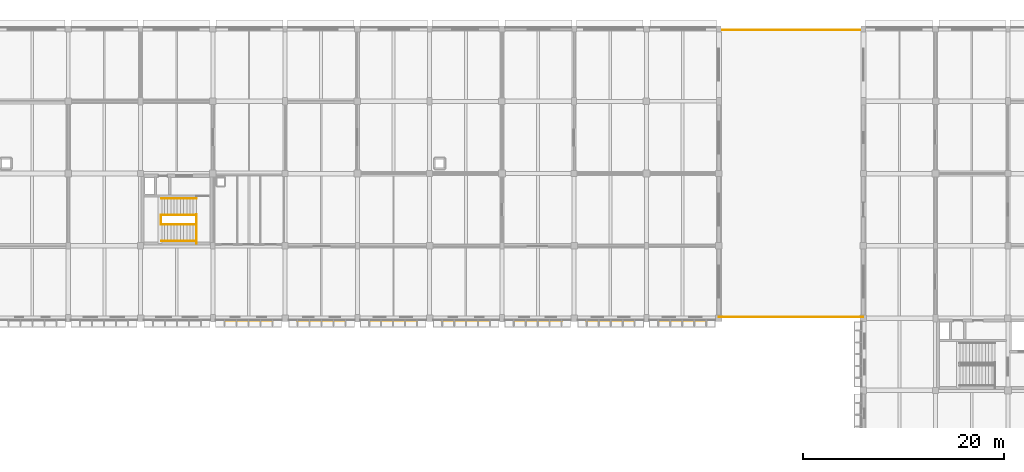
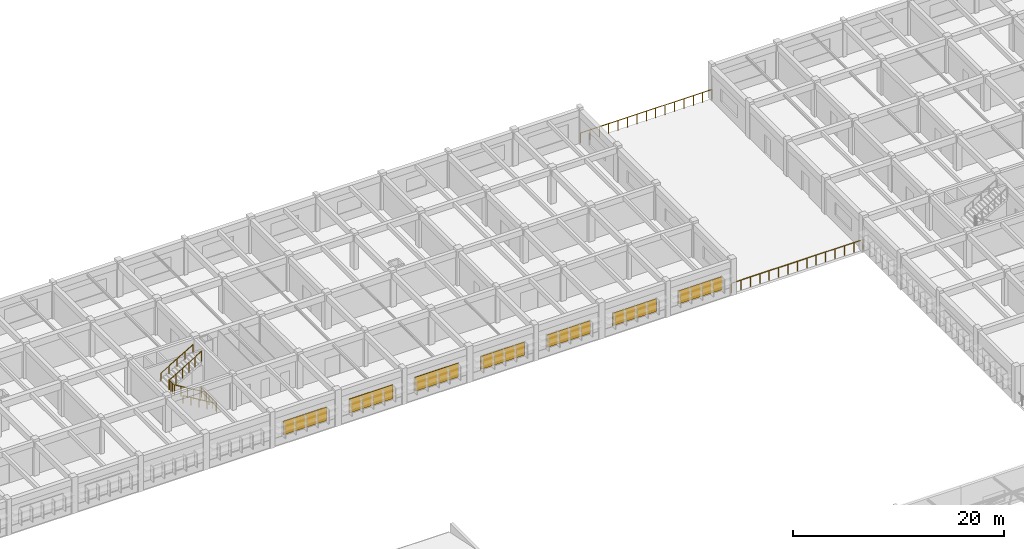
# One storey, part 101 of 103: 10 railings, 7 shading devices.
"""IFC4 building model written with IfcOpenShell, lengths in metres."""

import ifcopenshell
import ifcopenshell.guid

model = None  # the IFC model being written
_history = None  # IfcOwnerHistory: only IFC2X3 demands one
_inside = {}  # id of a spatial element -> (the spatial element, [elements in it])
_under = {}  # id of a project, library or spatial element -> (it, [spatial elements below it])
_declared = {}  # id of a project -> (the project, [libraries it declares])
_typed = {}  # id of a type object -> (the type object, [elements of that type])
_made_of = {}  # id of a material, layer set ... -> (it, [elements and type objects made of it])


def new_model(schema):
    """Start an empty IFC model of exactly this schema.

    Asked for "IFC4X3", IfcOpenShell would pick the latest addendum, in which some entities
    have other attributes; the version numbers below select the first issue.
    IFC2X3 requires an IfcOwnerHistory on every rooted entity: one is made here for all.
    """
    global model, _history
    if schema == "IFC4X3":
        model = ifcopenshell.file(schema_version=(4, 3, 0, 0))
    else:
        model = ifcopenshell.file(schema=schema)
    _inside.clear()
    _under.clear()
    _declared.clear()
    _typed.clear()
    _made_of.clear()
    _history = None
    if model.schema == "IFC2X3":
        org = make("IfcOrganization", Name="unknown")
        user = make(
            "IfcPersonAndOrganization",
            ThePerson=make("IfcPerson", FamilyName="unknown"),
            TheOrganization=org,
        )
        app = make(
            "IfcApplication",
            ApplicationDeveloper=org,
            Version="unknown",
            ApplicationFullName="unknown",
            ApplicationIdentifier="unknown",
        )
        _history = make(
            "IfcOwnerHistory",
            OwningUser=user,
            OwningApplication=app,
            ChangeAction="ADDED",
            CreationDate=0,
        )
    return model


def make(cls, **values):
    """One entity of the class cls with the attributes given. An attribute that is None is left unset."""
    return model.create_entity(
        cls, **{name: value for name, value in values.items() if value is not None}
    )


def rooted(cls, **values):
    """An entity with a GlobalId (a new one), such as an element, a storey or a relation."""
    return make(cls, GlobalId=ifcopenshell.guid.new(), OwnerHistory=_history, **values)


def si_unit(unit_type, name, prefix=None):
    """IfcSIUnit, for example si_unit("LENGTHUNIT", "METRE", prefix="MILLI")."""
    return make("IfcSIUnit", UnitType=unit_type, Prefix=prefix, Name=name)


def assignment(units):
    """IfcUnitAssignment: the units of a project."""
    return None if units is None else make("IfcUnitAssignment", Units=units)


def point(xyz):
    """IfcCartesianPoint."""
    return None if xyz is None else make("IfcCartesianPoint", Coordinates=xyz)


def direction(xyz):
    """IfcDirection."""
    return None if xyz is None else make("IfcDirection", DirectionRatios=xyz)


def frame(location, z_axis=None, x_axis=None):
    """IfcAxis2Placement3D, a coordinate frame: its origin and axes. An axis left out is left unset."""
    return make(
        "IfcAxis2Placement3D",
        Location=point(location),
        Axis=direction(z_axis),
        RefDirection=direction(x_axis),
    )


def frame_2d(location, x_axis=None):
    """IfcAxis2Placement2D, a coordinate frame in the plane: its origin and x axis."""
    return make(
        "IfcAxis2Placement2D", Location=point(location), RefDirection=direction(x_axis)
    )


def origin():
    """The frame at (0, 0, 0) with its axes left unset."""
    return frame((0.0, 0.0, 0.0))


def origin_2d():
    """The frame at (0, 0) in the plane with its x axis left unset."""
    return frame_2d((0.0, 0.0))


def place(relative_to, where):
    """IfcLocalPlacement: puts the frame where relative to a parent placement (None: the world)."""
    return make(
        "IfcLocalPlacement", PlacementRelTo=relative_to, RelativePlacement=where
    )


def context(
    kind, dimensions, precision=None, world=None, true_north=None, identifier=None
):
    """IfcGeometricRepresentationContext, for example the 3D "Model" context."""
    return make(
        "IfcGeometricRepresentationContext",
        ContextIdentifier=identifier,
        ContextType=kind,
        CoordinateSpaceDimension=dimensions,
        Precision=precision,
        WorldCoordinateSystem=world,
        TrueNorth=true_north,
    )


def subcontext(parent, identifier, kind, view, scale=None):
    """IfcGeometricRepresentationSubContext, for example "Body" below "Model"."""
    return make(
        "IfcGeometricRepresentationSubContext",
        ContextIdentifier=identifier,
        ContextType=kind,
        ParentContext=parent,
        TargetScale=scale,
        TargetView=view,
    )


def project(units=None, contexts=None):
    """IfcProject with its units and contexts."""
    return rooted(
        "IfcProject",
        Name="project",
        RepresentationContexts=contexts,
        UnitsInContext=assignment(units),
    )


def spatial(cls, under=None, at=None, **own):
    """A site, building, storey or space (cls), placed at a placement, below another one or the project."""
    s = rooted(cls, ObjectPlacement=at, **own)
    if under is not None:
        _under.setdefault(under.id(), (under, []))[1].append(s)
    return s


def profile(cls, at=None, kind="AREA", **sizes):
    """A parametric profile (cls). Its sizes go by their IFC names, for example OverallWidth=200.0."""
    return make(cls, ProfileType=kind, Position=at, **sizes)


def rectangle(**sizes):
    """IfcRectangleProfileDef."""
    return profile("IfcRectangleProfileDef", **sizes)


def circle(**sizes):
    """IfcCircleProfileDef."""
    return profile("IfcCircleProfileDef", **sizes)


def extrude(swept, where, along, depth):
    """IfcExtrudedAreaSolid: the profile swept, set in the frame where, extruded along a direction by depth."""
    return make(
        "IfcExtrudedAreaSolid",
        SweptArea=swept,
        Position=where,
        ExtrudedDirection=direction(along),
        Depth=depth,
    )


def shape(context_of_items, identifier, shape_type, items):
    """IfcShapeRepresentation: the items that make up one representation, for example the "Body"."""
    return make(
        "IfcShapeRepresentation",
        ContextOfItems=context_of_items,
        RepresentationIdentifier=identifier,
        RepresentationType=shape_type,
        Items=items,
    )


def material(Name=None, Category=None):
    """IfcMaterial."""
    return make("IfcMaterial", Name=Name, Category=Category)


def layer(
    of_material, thickness, ventilated=None, Name=None, Category=None, Priority=None
):
    """IfcMaterialLayer: one layer of a wall or slab, of a material (None: an air gap)."""
    return make(
        "IfcMaterialLayer",
        Material=of_material,
        LayerThickness=thickness,
        IsVentilated=ventilated,
        Name=Name,
        Category=Category,
        Priority=Priority,
    )


def layer_set(layers, Name=None):
    """IfcMaterialLayerSet."""
    return make("IfcMaterialLayerSet", MaterialLayers=layers, LayerSetName=Name)


def made_of(thing, what):
    """Note that an element or type object is made of a material, layer set ...; save() writes the relation."""
    if what is not None:
        _made_of.setdefault(what.id(), (what, []))[1].append(thing)
    return thing


def type_object(cls, material=None, **own):
    """A type object (cls), such as IfcWallType, which elements share."""
    return made_of(rooted(cls, **own), material)


def element(
    cls,
    number,
    at=None,
    inside=None,
    cuts=None,
    type_object=None,
    material=None,
    context=None,
    identifier="Body",
    shape_type=None,
    held_by="IfcProductDefinitionShape",
    body=None,
    shapes=None,
    **own,
):
    """One element of the class cls, such as IfcWall. Its Tag is "e" and its number.

    at: its placement. inside: the storey or other place that contains it. cuts: it is an
    opening in that element (IfcRelVoidsElement). A single representation is given by context,
    identifier, shape_type and body (its items); several are given by shapes. held_by: the class
    of the entity that holds the representations. save() writes the other relations.
    """
    e = rooted(cls, Tag="e%d" % number, ObjectPlacement=at, **own)
    if body is not None:
        shapes = [shape(context, identifier, shape_type, body)]
    if shapes is not None:
        e.Representation = make(held_by, Representations=shapes)
    if inside is not None:
        _inside.setdefault(inside.id(), (inside, []))[1].append(e)
    if cuts is not None:
        rooted(
            "IfcRelVoidsElement", RelatingBuildingElement=cuts, RelatedOpeningElement=e
        )
    if type_object is not None:
        _typed.setdefault(type_object.id(), (type_object, []))[1].append(e)
    return made_of(e, material)


def aggregate(whole, parts):
    """IfcRelAggregates: a whole, such as a stair, and the parts it consists of."""
    return rooted("IfcRelAggregates", RelatingObject=whole, RelatedObjects=parts)


def save(model, path):
    """Write the relations noted so far, then the file.

    IfcRelAggregates (storeys below a building ...), IfcRelContainedInSpatialStructure (elements
    in a storey), IfcRelDefinesByType, IfcRelAssociatesMaterial and IfcRelDeclares: one each for
    every whole, place, type object, material and project.
    """
    for whole, parts in _under.values():
        aggregate(whole, parts)
    for where, things in _inside.values():
        rooted(
            "IfcRelContainedInSpatialStructure",
            RelatedElements=things,
            RelatingStructure=where,
        )
    for kind, things in _typed.values():
        rooted("IfcRelDefinesByType", RelatedObjects=things, RelatingType=kind)
    for what, things in _made_of.values():
        rooted("IfcRelAssociatesMaterial", RelatedObjects=things, RelatingMaterial=what)
    for by, libraries in _declared.values():
        rooted("IfcRelDeclares", RelatingContext=by, RelatedDefinitions=libraries)
    model.write(path)


model = new_model("IFC4")

# Units and contexts
model_context = context("Model", 3, precision=1e-05, world=origin(), true_north=direction((0.0, 1.0)))
body_context = subcontext(model_context, "Body", "Model", "MODEL_VIEW")
ifc_project = project(units=[si_unit("LENGTHUNIT", "METRE"), si_unit("AREAUNIT", "SQUARE_METRE"), si_unit("VOLUMEUNIT", "CUBIC_METRE"), si_unit("PLANEANGLEUNIT", "RADIAN"), si_unit("MASSUNIT", "GRAM", prefix="KILO")], contexts=[model_context])

# Site, building, storey
site_placement = place(None, origin())
site = spatial("IfcSite", under=ifc_project, at=site_placement, CompositionType="ELEMENT")
building_placement = place(site_placement, origin())
building = spatial("IfcBuilding", under=site, at=building_placement, Name="Thalmaran Polytechnic", CompositionType="ELEMENT")
storey_placement = place(building_placement, frame((0.0, 0.0, 14.39990234375)))
storey = spatial("IfcBuildingStorey", under=building, at=storey_placement, Name="L03", CompositionType="ELEMENT", Elevation=14.39990234375)

# Railings
ifc_material_1 = material(Name="Stainless steel 316 and laminated glass", Category="steel")
railing_type_1 = type_object("IfcRailingType", Name="RL-BL01", PredefinedType="BALUSTRADE", material=ifc_material_1)
railing_1_placement = place(storey_placement, frame((115.2099609375, 122.300048828125, 0.0)))
element("IfcRailing", 1, at=railing_1_placement, inside=storey, type_object=railing_type_1, Name="Terrace Balustrade Guard L03-2-1", PredefinedType="BALUSTRADE", context=body_context, shape_type="SweptSolid", body=[
    extrude(circle(Radius=0.02392578125, at=origin_2d()), frame((0.0, 0.0, 1.1259765625), z_axis=(1.0, 0.0, 0.0), x_axis=(0.0, 1.0, 0.0)), (0.0, 0.0, 1.0), 7.18994140625),
    extrude(circle(Radius=0.02099609375, at=origin_2d()), origin(), (0.0, 0.0, 1.0), 1.101806640625),
    extrude(circle(Radius=0.02099609375, at=origin_2d()), frame((1.027099609375, 0.0, 0.0)), (0.0, 0.0, 1.0), 1.101806640625),
    extrude(circle(Radius=0.02099609375, at=origin_2d()), frame((2.05419921875, 0.0, 0.0)), (0.0, 0.0, 1.0), 1.101806640625),
    extrude(circle(Radius=0.02099609375, at=origin_2d()), frame((3.081298828125, 0.0, 0.0)), (0.0, 0.0, 1.0), 1.101806640625),
    extrude(circle(Radius=0.02099609375, at=origin_2d()), frame((4.108642578125, 0.0, 0.0)), (0.0, 0.0, 1.0), 1.101806640625),
    extrude(circle(Radius=0.02099609375, at=origin_2d()), frame((5.1357421875, 0.0, 0.0)), (0.0, 0.0, 1.0), 1.101806640625),
    extrude(circle(Radius=0.02099609375, at=origin_2d()), frame((6.162841796875, 0.0, 0.0)), (0.0, 0.0, 1.0), 1.101806640625),
    extrude(circle(Radius=0.02099609375, at=origin_2d()), frame((7.18994140625, 0.0, 0.0)), (0.0, 0.0, 1.0), 1.101806640625),
])
railing_2_placement = place(storey_placement, frame((122.39990234375, 122.300048828125, 0.0)))
element("IfcRailing", 2, at=railing_2_placement, inside=storey, type_object=railing_type_1, Name="Terrace Balustrade Guard L03-2-2", PredefinedType="BALUSTRADE", context=body_context, shape_type="SweptSolid", body=[
    extrude(circle(Radius=0.02392578125, at=origin_2d()), frame((0.0, 0.0, 1.1259765625), z_axis=(1.0, 0.0, 0.0), x_axis=(0.0, 1.0, 0.0)), (0.0, 0.0, 1.0), 7.190185546875),
    extrude(circle(Radius=0.02099609375, at=origin_2d()), origin(), (0.0, 0.0, 1.0), 1.101806640625),
    extrude(circle(Radius=0.02099609375, at=origin_2d()), frame((1.027099609375, 0.0, 0.0)), (0.0, 0.0, 1.0), 1.101806640625),
    extrude(circle(Radius=0.02099609375, at=origin_2d()), frame((2.054443359375, 0.0, 0.0)), (0.0, 0.0, 1.0), 1.101806640625),
    extrude(circle(Radius=0.02099609375, at=origin_2d()), frame((3.08154296875, 0.0, 0.0)), (0.0, 0.0, 1.0), 1.101806640625),
    extrude(circle(Radius=0.02099609375, at=origin_2d()), frame((4.108642578125, 0.0, 0.0)), (0.0, 0.0, 1.0), 1.101806640625),
    extrude(circle(Radius=0.02099609375, at=origin_2d()), frame((5.1357421875, 0.0, 0.0)), (0.0, 0.0, 1.0), 1.101806640625),
    extrude(circle(Radius=0.02099609375, at=origin_2d()), frame((6.1630859375, 0.0, 0.0)), (0.0, 0.0, 1.0), 1.101806640625),
    extrude(circle(Radius=0.02099609375, at=origin_2d()), frame((7.190185546875, 0.0, 0.0)), (0.0, 0.0, 1.0), 1.101806640625),
])
railing_3_placement = place(storey_placement, frame((129.590087890625, 93.699951171875, 0.0)))
element("IfcRailing", 3, at=railing_3_placement, inside=storey, type_object=railing_type_1, Name="Terrace Balustrade Guard L03-2-7", PredefinedType="BALUSTRADE", context=body_context, shape_type="SweptSolid", body=[
    extrude(circle(Radius=0.02392578125, at=origin_2d()), frame((0.0, 0.0, 1.1259765625), z_axis=(-1.0, 0.0, 0.0), x_axis=(0.0, -1.0, 0.0)), (0.0, 0.0, 1.0), 7.190185546875),
    extrude(circle(Radius=0.02099609375, at=origin_2d()), origin(), (0.0, 0.0, 1.0), 1.101806640625),
    extrude(circle(Radius=0.02099609375, at=origin_2d()), frame((-1.027099609375, 0.0, 0.0)), (0.0, 0.0, 1.0), 1.101806640625),
    extrude(circle(Radius=0.02099609375, at=origin_2d()), frame((-2.054443359375, 0.0, 0.0)), (0.0, 0.0, 1.0), 1.101806640625),
    extrude(circle(Radius=0.02099609375, at=origin_2d()), frame((-3.08154296875, 0.0, 0.0)), (0.0, 0.0, 1.0), 1.101806640625),
    extrude(circle(Radius=0.02099609375, at=origin_2d()), frame((-4.108642578125, 0.0, 0.0)), (0.0, 0.0, 1.0), 1.101806640625),
    extrude(circle(Radius=0.02099609375, at=origin_2d()), frame((-5.1357421875, 0.0, 0.0)), (0.0, 0.0, 1.0), 1.101806640625),
    extrude(circle(Radius=0.02099609375, at=origin_2d()), frame((-6.1630859375, 0.0, 0.0)), (0.0, 0.0, 1.0), 1.101806640625),
    extrude(circle(Radius=0.02099609375, at=origin_2d()), frame((-7.190185546875, 0.0, 0.0)), (0.0, 0.0, 1.0), 1.101806640625),
])
railing_4_placement = place(storey_placement, frame((122.39990234375, 93.699951171875, 0.0)))
element("IfcRailing", 4, at=railing_4_placement, inside=storey, type_object=railing_type_1, Name="Terrace Balustrade Guard L03-2-8", PredefinedType="BALUSTRADE", context=body_context, shape_type="SweptSolid", body=[
    extrude(circle(Radius=0.02392578125, at=origin_2d()), frame((0.0, 0.0, 1.1259765625), z_axis=(-1.0, 0.0, 0.0), x_axis=(0.0, -1.0, 0.0)), (0.0, 0.0, 1.0), 7.18994140625),
    extrude(circle(Radius=0.02099609375, at=origin_2d()), origin(), (0.0, 0.0, 1.0), 1.101806640625),
    extrude(circle(Radius=0.02099609375, at=origin_2d()), frame((-1.027099609375, 0.0, 0.0)), (0.0, 0.0, 1.0), 1.101806640625),
    extrude(circle(Radius=0.02099609375, at=origin_2d()), frame((-2.05419921875, 0.0, 0.0)), (0.0, 0.0, 1.0), 1.101806640625),
    extrude(circle(Radius=0.02099609375, at=origin_2d()), frame((-3.081298828125, 0.0, 0.0)), (0.0, 0.0, 1.0), 1.101806640625),
    extrude(circle(Radius=0.02099609375, at=origin_2d()), frame((-4.108642578125, 0.0, 0.0)), (0.0, 0.0, 1.0), 1.101806640625),
    extrude(circle(Radius=0.02099609375, at=origin_2d()), frame((-5.1357421875, 0.0, 0.0)), (0.0, 0.0, 1.0), 1.101806640625),
    extrude(circle(Radius=0.02099609375, at=origin_2d()), frame((-6.162841796875, 0.0, 0.0)), (0.0, 0.0, 1.0), 1.101806640625),
    extrude(circle(Radius=0.02099609375, at=origin_2d()), frame((-7.18994140625, 0.0, 0.0)), (0.0, 0.0, 1.0), 1.101806640625),
])
ifc_material_2 = material(Name="Stainless steel 316", Category="steel")
railing_type_2 = type_object("IfcRailingType", Name="RL-GR01", PredefinedType="GUARDRAIL", material=ifc_material_2)
railing_5_placement = place(storey_placement, frame((63.169921875, 101.050048828125, 0.0)))
element("IfcRailing", 5, at=railing_5_placement, inside=storey, type_object=railing_type_2, Name="ST6 L03 Landing Edge Guardrail", PredefinedType="GUARDRAIL", context=body_context, shape_type="SweptSolid", body=[
    extrude(circle(Radius=0.02392578125, at=origin_2d()), frame((0.0, 0.0, 1.1259765625), z_axis=(0.0, 1.0, 0.0), x_axis=(-1.0, 0.0, 0.0)), (0.0, 0.0, 1.0), 2.869873046875),
    extrude(circle(Radius=0.02099609375, at=origin_2d()), origin(), (0.0, 0.0, 1.0), 1.101806640625),
    extrude(circle(Radius=0.02099609375, at=origin_2d()), frame((0.0, 0.717529296875, 0.0)), (0.0, 0.0, 1.0), 1.101806640625),
    extrude(circle(Radius=0.02099609375, at=origin_2d()), frame((0.0, 1.43505859375, 0.0)), (0.0, 0.0, 1.0), 1.101806640625),
    extrude(circle(Radius=0.02099609375, at=origin_2d()), frame((0.0, 2.15234375, 0.0)), (0.0, 0.0, 1.0), 1.101806640625),
    extrude(circle(Radius=0.02099609375, at=origin_2d()), frame((0.0, 2.869873046875, 0.0)), (0.0, 0.0, 1.0), 1.101806640625),
])
railing_6_placement = place(storey_placement, frame((63.159912109375, 102.919921875, 0.0)))
element("IfcRailing", 6, at=railing_6_placement, inside=storey, type_object=railing_type_2, Name="ST6 L03 Lower Flight Guardrail", PredefinedType="GUARDRAIL", context=body_context, shape_type="SweptSolid", body=[
    extrude(circle(Radius=0.02392578125, at=origin_2d()), frame((0.0, 0.0, 1.1259765625), z_axis=(-0.857482370257, 0.0, 0.514513347444), x_axis=(0.0, -1.0, 0.0)), (0.0, 0.0, 1.0), 4.081787109375),
    extrude(circle(Radius=0.02099609375, at=origin_2d()), origin(), (0.0, 0.0, 1.0), 1.101806640625),
    extrude(circle(Radius=0.02099609375, at=origin_2d()), frame((-0.699951171875, 0.0, 0.419921875)), (0.0, 0.0, 1.0), 1.101806640625),
    extrude(circle(Radius=0.02099609375, at=origin_2d()), frame((-1.39990234375, 0.0, 0.840087890625)), (0.0, 0.0, 1.0), 1.101806640625),
    extrude(circle(Radius=0.02099609375, at=origin_2d()), frame((-2.10009765625, 0.0, 1.260009765625)), (0.0, 0.0, 1.0), 1.101806640625),
    extrude(circle(Radius=0.02099609375, at=origin_2d()), frame((-2.800048828125, 0.0, 1.68017578125)), (0.0, 0.0, 1.0), 1.101806640625),
    extrude(circle(Radius=0.02099609375, at=origin_2d()), frame((-3.5, 0.0, 2.10009765625)), (0.0, 0.0, 1.0), 1.101806640625),
])
railing_7_placement = place(storey_placement, frame((59.6201171875, 102.89990234375, 2.10009765625)))
element("IfcRailing", 7, at=railing_7_placement, inside=storey, type_object=railing_type_2, Name="ST6 L03 Half-Landing Well Guardrail", PredefinedType="GUARDRAIL", context=body_context, shape_type="SweptSolid", body=[
    extrude(circle(Radius=0.02392578125, at=origin_2d()), frame((0.0, 0.0, 1.1259765625), z_axis=(0.0, 1.0, 0.0), x_axis=(-1.0, 0.0, 0.0)), (0.0, 0.0, 1.0), 0.97998046875),
    extrude(circle(Radius=0.02099609375, at=origin_2d()), origin(), (0.0, 0.0, 1.0), 1.101806640625),
    extrude(circle(Radius=0.02099609375, at=origin_2d()), frame((0.0, 0.32666015625, 0.0)), (0.0, 0.0, 1.0), 1.101806640625),
    extrude(circle(Radius=0.02099609375, at=origin_2d()), frame((0.0, 0.6533203125, 0.0)), (0.0, 0.0, 1.0), 1.101806640625),
    extrude(circle(Radius=0.02099609375, at=origin_2d()), frame((0.0, 0.97998046875, 0.0)), (0.0, 0.0, 1.0), 1.101806640625),
])
railing_8_placement = place(storey_placement, frame((59.659912109375, 103.860107421875, 2.10009765625)))
element("IfcRailing", 8, at=railing_8_placement, inside=storey, type_object=railing_type_2, Name="ST6 L03 Upper Flight Guardrail", PredefinedType="GUARDRAIL", context=body_context, shape_type="SweptSolid", body=[
    extrude(circle(Radius=0.02392578125, at=origin_2d()), frame((0.0, 0.0, 1.1259765625), z_axis=(0.857482370257, 0.0, 0.514513347444), x_axis=(0.0, 1.0, 0.0)), (0.0, 0.0, 1.0), 4.081787109375),
    extrude(circle(Radius=0.02099609375, at=origin_2d()), origin(), (0.0, 0.0, 1.0), 1.101806640625),
    extrude(circle(Radius=0.02099609375, at=origin_2d()), frame((0.699951171875, 0.0, 0.419921875)), (0.0, 0.0, 1.0), 1.101806640625),
    extrude(circle(Radius=0.02099609375, at=origin_2d()), frame((1.39990234375, 0.0, 0.840087890625)), (0.0, 0.0, 1.0), 1.101806640625),
    extrude(circle(Radius=0.02099609375, at=origin_2d()), frame((2.10009765625, 0.0, 1.260009765625)), (0.0, 0.0, 1.0), 1.101806640625),
    extrude(circle(Radius=0.02099609375, at=origin_2d()), frame((2.800048828125, 0.0, 1.68017578125)), (0.0, 0.0, 1.0), 1.101806640625),
    extrude(circle(Radius=0.02099609375, at=origin_2d()), frame((3.5, 0.0, 2.10009765625)), (0.0, 0.0, 1.0), 1.101806640625),
])
railing_type_3 = type_object("IfcRailingType", Name="RL-HR01", PredefinedType="HANDRAIL", material=ifc_material_2)
railing_9_placement = place(storey_placement, frame((63.159912109375, 101.280029296875, 0.0)))
element("IfcRailing", 9, at=railing_9_placement, inside=storey, type_object=railing_type_3, Name="ST6 L03 Flight 1 Handrail", PredefinedType="HANDRAIL", context=body_context, shape_type="SweptSolid", body=[
    extrude(circle(Radius=0.02392578125, at=origin_2d()), frame((0.0, 0.0, 0.8759765625), z_axis=(-0.857482370257, 0.0, 0.514513347444), x_axis=(0.0, -1.0, 0.0)), (0.0, 0.0, 1.0), 4.081787109375),
    extrude(circle(Radius=0.02099609375, at=origin_2d()), origin(), (0.0, 0.0, 1.0), 0.851806640625),
    extrude(circle(Radius=0.02099609375, at=origin_2d()), frame((-0.875, 0.0, 0.52490234375)), (0.0, 0.0, 1.0), 0.851806640625),
    extrude(circle(Radius=0.02099609375, at=origin_2d()), frame((-1.75, 0.0, 1.050048828125)), (0.0, 0.0, 1.0), 0.851806640625),
    extrude(circle(Radius=0.02099609375, at=origin_2d()), frame((-2.625, 0.0, 1.5751953125)), (0.0, 0.0, 1.0), 0.851806640625),
    extrude(circle(Radius=0.02099609375, at=origin_2d()), frame((-3.5, 0.0, 2.10009765625)), (0.0, 0.0, 1.0), 0.851806640625),
])
railing_10_placement = place(storey_placement, frame((59.659912109375, 105.52001953125, 2.10009765625)))
element("IfcRailing", 10, at=railing_10_placement, inside=storey, type_object=railing_type_3, Name="ST6 L03 Flight 2 Handrail", PredefinedType="HANDRAIL", context=body_context, shape_type="SweptSolid", body=[
    extrude(circle(Radius=0.02392578125, at=origin_2d()), frame((0.0, 0.0, 0.8759765625), z_axis=(0.857482370257, 0.0, 0.514513347444), x_axis=(0.0, 1.0, 0.0)), (0.0, 0.0, 1.0), 4.081787109375),
    extrude(circle(Radius=0.02099609375, at=origin_2d()), origin(), (0.0, 0.0, 1.0), 0.851806640625),
    extrude(circle(Radius=0.02099609375, at=origin_2d()), frame((0.875, 0.0, 0.52490234375)), (0.0, 0.0, 1.0), 0.851806640625),
    extrude(circle(Radius=0.02099609375, at=origin_2d()), frame((1.75, 0.0, 1.050048828125)), (0.0, 0.0, 1.0), 0.851806640625),
    extrude(circle(Radius=0.02099609375, at=origin_2d()), frame((2.625, 0.0, 1.5751953125)), (0.0, 0.0, 1.0), 0.851806640625),
    extrude(circle(Radius=0.02099609375, at=origin_2d()), frame((3.5, 0.0, 2.10009765625)), (0.0, 0.0, 1.0), 0.851806640625),
])

# Shading devices
ifc_material_3 = material(Name="Perforated anodised-bronze aluminium screen", Category="aluminium")
ifc_layer = layer(ifc_material_3, 0.080078125, Name="Perforated anodised-bronze aluminium screen")
ifc_layer_set = layer_set([ifc_layer], Name="Perforated anodised-bronze aluminium screen")
shading_device_type = type_object("IfcShadingDeviceType", Name="SH-JL01", PredefinedType="JALOUSIE", material=ifc_layer_set)
shading_device_1_placement = place(storey_placement, frame((111.60009765625, 93.3798828125, 1.025146484375), z_axis=(0.0, 0.0, 1.0), x_axis=(-1.0, 0.0, 0.0)))
element("IfcShadingDevice", 11, at=shading_device_1_placement, inside=storey, type_object=shading_device_type, Name="Anodised-Bronze Mashrabiya Solar Screen L03-076", PredefinedType="JALOUSIE", context=body_context, shape_type="SweptSolid", body=[
    extrude(rectangle(XDim=4.77001953125, YDim=0.080078125, at=origin_2d()), origin(), (0.0, 0.0, 1.0), 1.5),
])
for number, where, z_axis, x_axis, name in (
    (12, (104.39990234375, 93.3798828125, 1.02490234375), (0.0, 0.0, 1.0), (-1.0, 0.0, 0.0), "Anodised-Bronze Mashrabiya Solar Screen L03-077"),
    (13, (97.199951171875, 93.3798828125, 1.02490234375), (0.0, 0.0, 1.0), (-1.0, 0.0, 0.0), "Anodised-Bronze Mashrabiya Solar Screen L03-078"),
):
    element("IfcShadingDevice", number, at=place(storey_placement, frame(where, z_axis=z_axis, x_axis=x_axis)), inside=storey, type_object=shading_device_type, Name=name, PredefinedType="JALOUSIE", context=body_context, shape_type="SweptSolid", body=[
        extrude(rectangle(XDim=4.77001953125, YDim=0.080078125, at=origin_2d()), origin(), (0.0, 0.0, 1.0), 1.449951171875),
    ])
shading_device_2_placement = place(storey_placement, frame((90.0, 93.3798828125, 1.025146484375), z_axis=(0.0, 0.0, 1.0), x_axis=(-1.0, 0.0, 0.0)))
element("IfcShadingDevice", 14, at=shading_device_2_placement, inside=storey, type_object=shading_device_type, Name="Anodised-Bronze Mashrabiya Solar Screen L03-079", PredefinedType="JALOUSIE", context=body_context, shape_type="SweptSolid", body=[
    extrude(rectangle(XDim=4.77001953125, YDim=0.080078125, at=origin_2d()), origin(), (0.0, 0.0, 1.0), 1.5),
])
for number, where, z_axis, x_axis, name in (
    (15, (82.800048828125, 93.3798828125, 1.025146484375), (0.0, 0.0, 1.0), (-1.0, 0.0, 0.0), "Anodised-Bronze Mashrabiya Solar Screen L03-080"),
    (16, (75.60009765625, 93.3798828125, 1.025146484375), (0.0, 0.0, 1.0), (-1.0, 0.0, 0.0), "Anodised-Bronze Mashrabiya Solar Screen L03-081"),
):
    element("IfcShadingDevice", number, at=place(storey_placement, frame(where, z_axis=z_axis, x_axis=x_axis)), inside=storey, type_object=shading_device_type, Name=name, PredefinedType="JALOUSIE", context=body_context, shape_type="SweptSolid", body=[
        extrude(rectangle(XDim=4.77001953125, YDim=0.080078125, at=origin_2d()), origin(), (0.0, 0.0, 1.0), 1.60009765625),
    ])
shading_device_3_placement = place(storey_placement, frame((68.39990234375, 93.3798828125, 1.02490234375), z_axis=(0.0, 0.0, 1.0), x_axis=(-1.0, 0.0, 0.0)))
element("IfcShadingDevice", 17, at=shading_device_3_placement, inside=storey, type_object=shading_device_type, Name="Anodised-Bronze Mashrabiya Solar Screen L03-082", PredefinedType="JALOUSIE", context=body_context, shape_type="SweptSolid", body=[
    extrude(rectangle(XDim=4.77001953125, YDim=0.080078125, at=origin_2d()), origin(), (0.0, 0.0, 1.0), 1.550048828125),
])

save(model, "model.ifc")
